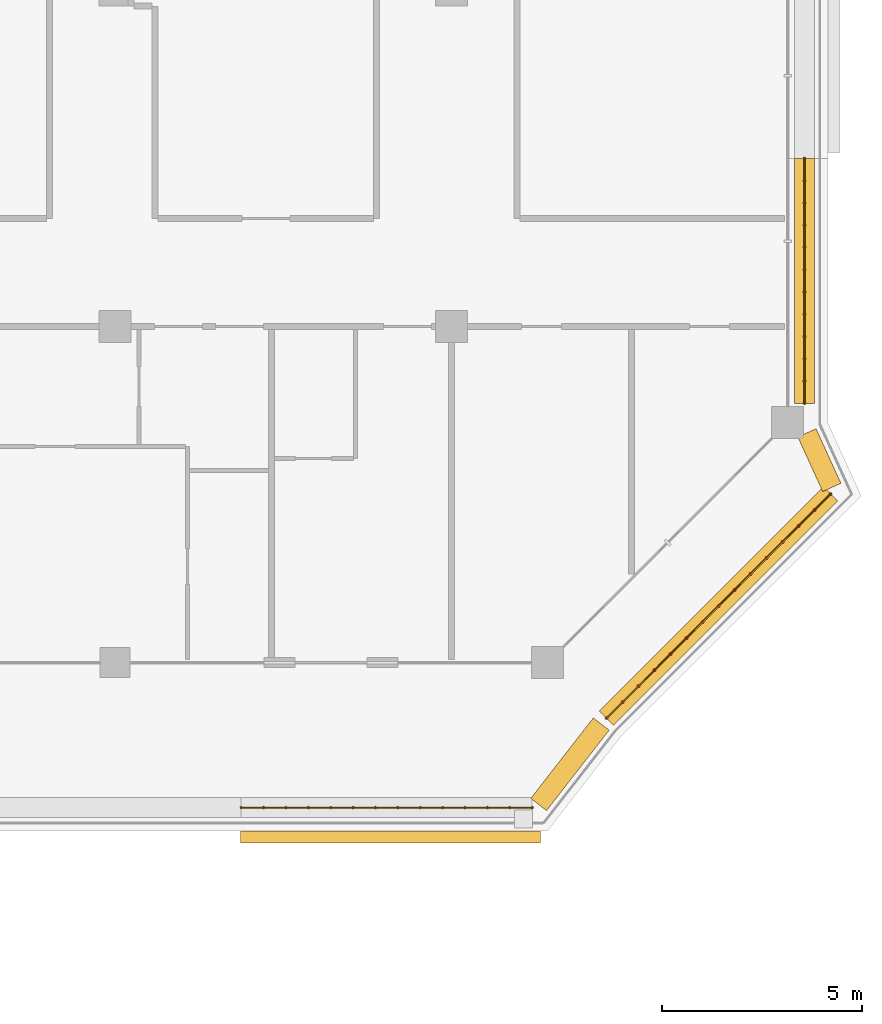
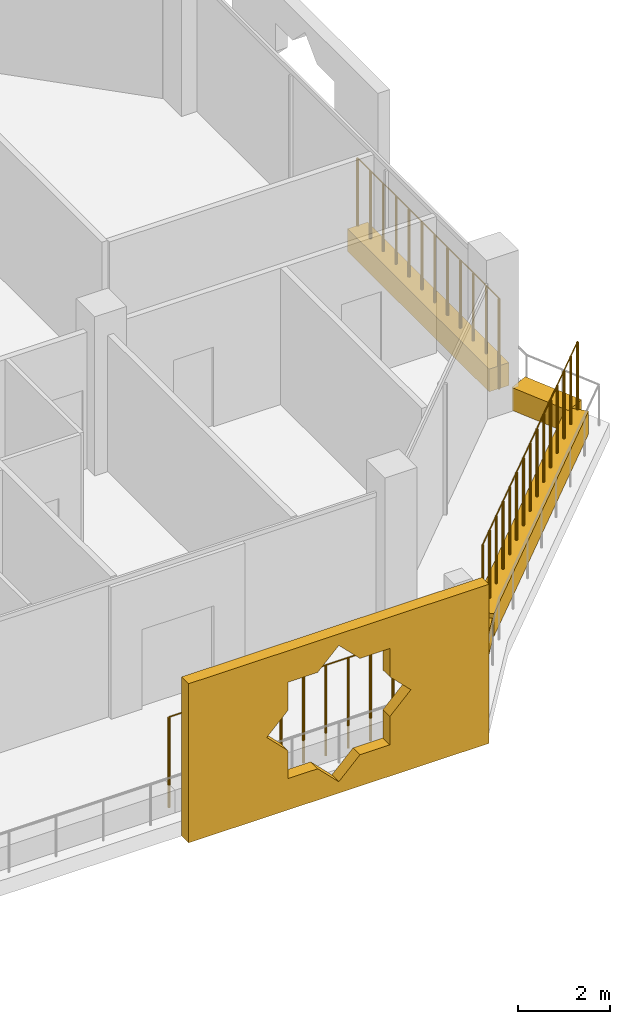
# One storey, part 19 of 22: 5 coverings, 3 railings.
"""IFC4 building model written with IfcOpenShell, lengths in metres."""

import ifcopenshell
import ifcopenshell.guid

model = None  # the IFC model being written
_history = None  # IfcOwnerHistory: only IFC2X3 demands one
_inside = {}  # id of a spatial element -> (the spatial element, [elements in it])
_under = {}  # id of a project, library or spatial element -> (it, [spatial elements below it])
_declared = {}  # id of a project -> (the project, [libraries it declares])
_typed = {}  # id of a type object -> (the type object, [elements of that type])
_made_of = {}  # id of a material, layer set ... -> (it, [elements and type objects made of it])


def new_model(schema):
    """Start an empty IFC model of exactly this schema.

    Asked for "IFC4X3", IfcOpenShell would pick the latest addendum, in which some entities
    have other attributes; the version numbers below select the first issue.
    IFC2X3 requires an IfcOwnerHistory on every rooted entity: one is made here for all.
    """
    global model, _history
    if schema == "IFC4X3":
        model = ifcopenshell.file(schema_version=(4, 3, 0, 0))
    else:
        model = ifcopenshell.file(schema=schema)
    _inside.clear()
    _under.clear()
    _declared.clear()
    _typed.clear()
    _made_of.clear()
    _history = None
    if model.schema == "IFC2X3":
        org = make("IfcOrganization", Name="unknown")
        user = make(
            "IfcPersonAndOrganization",
            ThePerson=make("IfcPerson", FamilyName="unknown"),
            TheOrganization=org,
        )
        app = make(
            "IfcApplication",
            ApplicationDeveloper=org,
            Version="unknown",
            ApplicationFullName="unknown",
            ApplicationIdentifier="unknown",
        )
        _history = make(
            "IfcOwnerHistory",
            OwningUser=user,
            OwningApplication=app,
            ChangeAction="ADDED",
            CreationDate=0,
        )
    return model


def make(cls, **values):
    """One entity of the class cls with the attributes given. An attribute that is None is left unset."""
    return model.create_entity(
        cls, **{name: value for name, value in values.items() if value is not None}
    )


def rooted(cls, **values):
    """An entity with a GlobalId (a new one), such as an element, a storey or a relation."""
    return make(cls, GlobalId=ifcopenshell.guid.new(), OwnerHistory=_history, **values)


def si_unit(unit_type, name, prefix=None):
    """IfcSIUnit, for example si_unit("LENGTHUNIT", "METRE", prefix="MILLI")."""
    return make("IfcSIUnit", UnitType=unit_type, Prefix=prefix, Name=name)


def assignment(units):
    """IfcUnitAssignment: the units of a project."""
    return None if units is None else make("IfcUnitAssignment", Units=units)


def point(xyz):
    """IfcCartesianPoint."""
    return None if xyz is None else make("IfcCartesianPoint", Coordinates=xyz)


def direction(xyz):
    """IfcDirection."""
    return None if xyz is None else make("IfcDirection", DirectionRatios=xyz)


def frame(location, z_axis=None, x_axis=None):
    """IfcAxis2Placement3D, a coordinate frame: its origin and axes. An axis left out is left unset."""
    return make(
        "IfcAxis2Placement3D",
        Location=point(location),
        Axis=direction(z_axis),
        RefDirection=direction(x_axis),
    )


def frame_2d(location, x_axis=None):
    """IfcAxis2Placement2D, a coordinate frame in the plane: its origin and x axis."""
    return make(
        "IfcAxis2Placement2D", Location=point(location), RefDirection=direction(x_axis)
    )


def origin():
    """The frame at (0, 0, 0) with its axes left unset."""
    return frame((0.0, 0.0, 0.0))


def origin_2d():
    """The frame at (0, 0) in the plane with its x axis left unset."""
    return frame_2d((0.0, 0.0))


def place(relative_to, where):
    """IfcLocalPlacement: puts the frame where relative to a parent placement (None: the world)."""
    return make(
        "IfcLocalPlacement", PlacementRelTo=relative_to, RelativePlacement=where
    )


def context(
    kind, dimensions, precision=None, world=None, true_north=None, identifier=None
):
    """IfcGeometricRepresentationContext, for example the 3D "Model" context."""
    return make(
        "IfcGeometricRepresentationContext",
        ContextIdentifier=identifier,
        ContextType=kind,
        CoordinateSpaceDimension=dimensions,
        Precision=precision,
        WorldCoordinateSystem=world,
        TrueNorth=true_north,
    )


def subcontext(parent, identifier, kind, view, scale=None):
    """IfcGeometricRepresentationSubContext, for example "Body" below "Model"."""
    return make(
        "IfcGeometricRepresentationSubContext",
        ContextIdentifier=identifier,
        ContextType=kind,
        ParentContext=parent,
        TargetScale=scale,
        TargetView=view,
    )


def project(units=None, contexts=None):
    """IfcProject with its units and contexts."""
    return rooted(
        "IfcProject",
        Name="project",
        RepresentationContexts=contexts,
        UnitsInContext=assignment(units),
    )


def spatial(cls, under=None, at=None, **own):
    """A site, building, storey or space (cls), placed at a placement, below another one or the project."""
    s = rooted(cls, ObjectPlacement=at, **own)
    if under is not None:
        _under.setdefault(under.id(), (under, []))[1].append(s)
    return s


def polyline(points):
    """IfcPolyline through the points."""
    return make("IfcPolyline", Points=[point(p) for p in points])


def profile(cls, at=None, kind="AREA", **sizes):
    """A parametric profile (cls). Its sizes go by their IFC names, for example OverallWidth=200.0."""
    return make(cls, ProfileType=kind, Position=at, **sizes)


def rectangle(**sizes):
    """IfcRectangleProfileDef."""
    return profile("IfcRectangleProfileDef", **sizes)


def circle(**sizes):
    """IfcCircleProfileDef."""
    return profile("IfcCircleProfileDef", **sizes)


def outline(outer, holes=None, kind="AREA"):
    """IfcArbitraryClosedProfileDef: a profile drawn as a closed curve; with holes, ...WithVoids."""
    if holes is None:
        return make("IfcArbitraryClosedProfileDef", ProfileType=kind, OuterCurve=outer)
    return make(
        "IfcArbitraryProfileDefWithVoids",
        ProfileType=kind,
        OuterCurve=outer,
        InnerCurves=holes,
    )


def extrude(swept, where, along, depth):
    """IfcExtrudedAreaSolid: the profile swept, set in the frame where, extruded along a direction by depth."""
    return make(
        "IfcExtrudedAreaSolid",
        SweptArea=swept,
        Position=where,
        ExtrudedDirection=direction(along),
        Depth=depth,
    )


def shape(context_of_items, identifier, shape_type, items):
    """IfcShapeRepresentation: the items that make up one representation, for example the "Body"."""
    return make(
        "IfcShapeRepresentation",
        ContextOfItems=context_of_items,
        RepresentationIdentifier=identifier,
        RepresentationType=shape_type,
        Items=items,
    )


def material(Name=None, Category=None):
    """IfcMaterial."""
    return make("IfcMaterial", Name=Name, Category=Category)


def material_profile(
    of_material, cross_section, Name=None, Category=None, Priority=None
):
    """IfcMaterialProfile: a cross section and its material."""
    return make(
        "IfcMaterialProfile",
        Name=Name,
        Material=of_material,
        Profile=cross_section,
        Priority=Priority,
        Category=Category,
    )


def profile_set(profiles, Name=None, composite=None):
    """IfcMaterialProfileSet."""
    return make(
        "IfcMaterialProfileSet",
        Name=Name,
        MaterialProfiles=profiles,
        CompositeProfile=composite,
    )


def made_of(thing, what):
    """Note that an element or type object is made of a material, layer set ...; save() writes the relation."""
    if what is not None:
        _made_of.setdefault(what.id(), (what, []))[1].append(thing)
    return thing


def type_object(cls, material=None, **own):
    """A type object (cls), such as IfcWallType, which elements share."""
    return made_of(rooted(cls, **own), material)


def element(
    cls,
    number,
    at=None,
    inside=None,
    cuts=None,
    type_object=None,
    material=None,
    context=None,
    identifier="Body",
    shape_type=None,
    held_by="IfcProductDefinitionShape",
    body=None,
    shapes=None,
    **own,
):
    """One element of the class cls, such as IfcWall. Its Tag is "e" and its number.

    at: its placement. inside: the storey or other place that contains it. cuts: it is an
    opening in that element (IfcRelVoidsElement). A single representation is given by context,
    identifier, shape_type and body (its items); several are given by shapes. held_by: the class
    of the entity that holds the representations. save() writes the other relations.
    """
    e = rooted(cls, Tag="e%d" % number, ObjectPlacement=at, **own)
    if body is not None:
        shapes = [shape(context, identifier, shape_type, body)]
    if shapes is not None:
        e.Representation = make(held_by, Representations=shapes)
    if inside is not None:
        _inside.setdefault(inside.id(), (inside, []))[1].append(e)
    if cuts is not None:
        rooted(
            "IfcRelVoidsElement", RelatingBuildingElement=cuts, RelatedOpeningElement=e
        )
    if type_object is not None:
        _typed.setdefault(type_object.id(), (type_object, []))[1].append(e)
    return made_of(e, material)


def aggregate(whole, parts):
    """IfcRelAggregates: a whole, such as a stair, and the parts it consists of."""
    return rooted("IfcRelAggregates", RelatingObject=whole, RelatedObjects=parts)


def save(model, path):
    """Write the relations noted so far, then the file.

    IfcRelAggregates (storeys below a building ...), IfcRelContainedInSpatialStructure (elements
    in a storey), IfcRelDefinesByType, IfcRelAssociatesMaterial and IfcRelDeclares: one each for
    every whole, place, type object, material and project.
    """
    for whole, parts in _under.values():
        aggregate(whole, parts)
    for where, things in _inside.values():
        rooted(
            "IfcRelContainedInSpatialStructure",
            RelatedElements=things,
            RelatingStructure=where,
        )
    for kind, things in _typed.values():
        rooted("IfcRelDefinesByType", RelatedObjects=things, RelatingType=kind)
    for what, things in _made_of.values():
        rooted("IfcRelAssociatesMaterial", RelatedObjects=things, RelatingMaterial=what)
    for by, libraries in _declared.values():
        rooted("IfcRelDeclares", RelatingContext=by, RelatedDefinitions=libraries)
    model.write(path)


model = new_model("IFC4")

# Units and contexts
model_context = context("Model", 3, precision=1e-05, world=origin(), true_north=direction((0.0, 1.0)))
body_context = subcontext(model_context, "Body", "Model", "MODEL_VIEW")
ifc_project = project(units=[si_unit("LENGTHUNIT", "METRE"), si_unit("AREAUNIT", "SQUARE_METRE"), si_unit("VOLUMEUNIT", "CUBIC_METRE"), si_unit("PLANEANGLEUNIT", "RADIAN"), si_unit("MASSUNIT", "GRAM", prefix="KILO")], contexts=[model_context])

# Site, building, storey
site_placement = place(None, origin())
site = spatial("IfcSite", under=ifc_project, at=site_placement, CompositionType="ELEMENT")
building_placement = place(site_placement, origin())
building = spatial("IfcBuilding", under=site, at=building_placement, Name="Kawkab Arch Medical Tower", CompositionType="ELEMENT")
storey_placement = place(building_placement, frame((0.0, 0.0, 294.39990234375)))
storey = spatial("IfcBuildingStorey", under=building, at=storey_placement, Name="L68", CompositionType="ELEMENT", Elevation=294.39990234375)

# Coverings
ifc_material_1 = material(Name="Bronze anodised aluminium mashrabiya panel, eight-point star pattern", Category="aluminium")
ifc_material_profile_1 = material_profile(ifc_material_1, outline(polyline([(-3.75, -2.10009765625), (3.75, -2.10009765625), (3.75, 2.10009765625), (-3.75, 2.10009765625), (-3.75, -2.10009765625)]), holes=[polyline([(1.800048828125, 0.0), (1.272705078125, 0.527099609375), (1.272705078125, 1.272705078125), (0.527099609375, 1.272705078125), (0.0, 1.800048828125), (-0.527099609375, 1.272705078125), (-1.272705078125, 1.272705078125), (-1.272705078125, 0.527099609375), (-1.800048828125, 0.0), (-1.272705078125, -0.527099609375), (-1.272705078125, -1.272705078125), (-0.527099609375, -1.272705078125), (0.0, -1.800048828125), (0.527099609375, -1.272705078125), (1.272705078125, -1.272705078125), (1.272705078125, -0.527099609375), (1.800048828125, 0.0)])]), Name="Mashrabiya panel 7500x4200")
ifc_profile_set_1 = profile_set([ifc_material_profile_1], Name="Bronze anodised aluminium mashrabiya panel, eight-point star pattern")
covering_type_1 = type_object("IfcCoveringType", Name="Mashrabiya panel 7500 x 4200", PredefinedType="USERDEFINED", material=ifc_profile_set_1)
covering_1_placement = place(storey_placement, frame((48.87890625, -29.39990234375, 1.7001953125), z_axis=(0.0, -1.0, 0.0), x_axis=(1.0, 0.0, 0.0)))
element("IfcCovering", 1, at=covering_1_placement, inside=storey, type_object=covering_type_1, Name="Mashrabiya panel L68.LOG-01-01.7", ObjectType="SCREEN", PredefinedType="USERDEFINED", context=body_context, shape_type="SweptSolid", body=[
    extrude(outline(polyline([(-3.75, -2.10009765625), (3.75, -2.10009765625), (3.75, 2.10009765625), (-3.75, 2.10009765625), (-3.75, -2.10009765625)]), holes=[polyline([(1.800048828125, 0.0), (1.272705078125, 0.527099609375), (1.272705078125, 1.272705078125), (0.527099609375, 1.272705078125), (0.0, 1.800048828125), (-0.527099609375, 1.272705078125), (-1.272705078125, 1.272705078125), (-1.272705078125, 0.527099609375), (-1.800048828125, 0.0), (-1.272705078125, -0.527099609375), (-1.272705078125, -1.272705078125), (-0.527099609375, -1.272705078125), (0.0, -1.800048828125), (0.527099609375, -1.272705078125), (1.272705078125, -1.272705078125), (1.272705078125, -0.527099609375), (1.800048828125, 0.0)])]), origin(), (0.0, 0.0, 1.0), 0.300048828125),
])
ifc_material_2 = material(Name="Planting soil in a precast trough", Category="concrete")
ifc_material_profile_2 = material_profile(ifc_material_2, rectangle(XDim=0.5, YDim=0.60009765625, at=origin_2d()), Name="Trough 500x600")
ifc_profile_set_2 = profile_set([ifc_material_profile_2], Name="Planting soil in a precast trough")
covering_type_2 = type_object("IfcCoveringType", Name="Planter trough 500 x 600", PredefinedType="USERDEFINED", material=ifc_profile_set_2)
covering_2_placement = place(storey_placement, frame((59.219970703125, -12.60009765625, 0.300048828125), z_axis=(0.0, -1.0, 0.0), x_axis=(1.0, 0.0, 0.0)))
element("IfcCovering", 2, at=covering_2_placement, inside=storey, type_object=covering_type_2, Name="Planter L68.LOG-01-01.23", ObjectType="PLANTER", PredefinedType="USERDEFINED", context=body_context, shape_type="SweptSolid", body=[
    extrude(rectangle(XDim=0.5, YDim=0.60009765625, at=origin_2d()), origin(), (0.0, 0.0, 1.0), 6.119873046875),
])
covering_3_placement = place(storey_placement, frame((59.280029296875, -19.4580078125, 0.300048828125), z_axis=(0.415189748133, -0.909734836667, 0.0), x_axis=(0.909734836667, 0.415189748133, 0.0)))
element("IfcCovering", 3, at=covering_3_placement, inside=storey, type_object=covering_type_2, Name="Planter L68.LOG-01-01.24", ObjectType="PLANTER", PredefinedType="USERDEFINED", context=body_context, shape_type="SweptSolid", body=[
    extrude(rectangle(XDim=0.5, YDim=0.60009765625, at=origin_2d()), origin(), (0.0, 0.0, 1.0), 1.498291015625),
])
covering_4_placement = place(storey_placement, frame((59.873046875, -20.98291015625, 0.300048828125), z_axis=(-0.707106781187, -0.707106781187, 0.0), x_axis=(0.707106781187, -0.707106781187, 0.0)))
element("IfcCovering", 4, at=covering_4_placement, inside=storey, type_object=covering_type_2, Name="Planter L68.LOG-01-01.25", ObjectType="PLANTER", PredefinedType="USERDEFINED", context=body_context, shape_type="SweptSolid", body=[
    extrude(rectangle(XDim=0.5, YDim=0.60009765625, at=origin_2d()), origin(), (0.0, 0.0, 1.0), 7.919677734375),
])
covering_5_placement = place(storey_placement, frame((54.14111328125, -26.73193359375, 0.300048828125), z_axis=(-0.614099956103, -0.789228258436, 0.0), x_axis=(0.789228258436, -0.614099956103, 0.0)))
element("IfcCovering", 5, at=covering_5_placement, inside=storey, type_object=covering_type_2, Name="Planter L68.LOG-01-01.26", ObjectType="PLANTER", PredefinedType="USERDEFINED", context=body_context, shape_type="SweptSolid", body=[
    extrude(rectangle(XDim=0.5, YDim=0.60009765625, at=origin_2d()), origin(), (0.0, 0.0, 1.0), 2.545654296875),
])

# Railings
ifc_material_3 = material(Name="Bronze anodised aluminium trellis for climbing plants", Category="aluminium")
railing_type = type_object("IfcRailingType", Name="Planting trellis 2400", PredefinedType="USERDEFINED", material=ifc_material_3)
railing_1_placement = place(storey_placement, frame((59.219970703125, -12.60009765625, 0.0)))
element("IfcRailing", 6, at=railing_1_placement, inside=storey, type_object=railing_type, Name="Planting trellis L68.LOG-01-01.23", ObjectType="TRELLIS", PredefinedType="USERDEFINED", context=body_context, shape_type="SweptSolid", body=[
    extrude(circle(Radius=0.01513671875, at=origin_2d()), frame((0.0, 0.0, 2.384765625), z_axis=(0.0, -1.0, 0.0), x_axis=(1.0, 0.0, 0.0)), (0.0, 0.0, 1.0), 6.119873046875),
    extrude(circle(Radius=0.030029296875, at=origin_2d()), origin(), (0.0, 0.0, 1.0), 2.369873046875),
    extrude(circle(Radius=0.030029296875, at=origin_2d()), frame((0.0, -0.556396484375, 0.0)), (0.0, 0.0, 1.0), 2.369873046875),
    extrude(circle(Radius=0.030029296875, at=origin_2d()), frame((0.0, -1.11279296875, 0.0)), (0.0, 0.0, 1.0), 2.369873046875),
    extrude(circle(Radius=0.030029296875, at=origin_2d()), frame((0.0, -1.6689453125, 0.0)), (0.0, 0.0, 1.0), 2.369873046875),
    extrude(circle(Radius=0.030029296875, at=origin_2d()), frame((0.0, -2.225341796875, 0.0)), (0.0, 0.0, 1.0), 2.369873046875),
    extrude(circle(Radius=0.030029296875, at=origin_2d()), frame((0.0, -2.78173828125, 0.0)), (0.0, 0.0, 1.0), 2.369873046875),
    extrude(circle(Radius=0.030029296875, at=origin_2d()), frame((0.0, -3.338134765625, 0.0)), (0.0, 0.0, 1.0), 2.369873046875),
    extrude(circle(Radius=0.030029296875, at=origin_2d()), frame((0.0, -3.89453125, 0.0)), (0.0, 0.0, 1.0), 2.369873046875),
    extrude(circle(Radius=0.030029296875, at=origin_2d()), frame((0.0, -4.450927734375, 0.0)), (0.0, 0.0, 1.0), 2.369873046875),
    extrude(circle(Radius=0.030029296875, at=origin_2d()), frame((0.0, -5.007080078125, 0.0)), (0.0, 0.0, 1.0), 2.369873046875),
    extrude(circle(Radius=0.030029296875, at=origin_2d()), frame((0.0, -5.5634765625, 0.0)), (0.0, 0.0, 1.0), 2.369873046875),
    extrude(circle(Radius=0.030029296875, at=origin_2d()), frame((0.0, -6.119873046875, 0.0)), (0.0, 0.0, 1.0), 2.369873046875),
])
railing_2_placement = place(storey_placement, frame((59.873046875, -20.98291015625, 0.0)))
element("IfcRailing", 7, at=railing_2_placement, inside=storey, type_object=railing_type, Name="Planting trellis L68.LOG-01-01.25", ObjectType="TRELLIS", PredefinedType="USERDEFINED", context=body_context, shape_type="SweptSolid", body=[
    extrude(circle(Radius=0.01513671875, at=origin_2d()), frame((0.0, 0.0, 2.384765625), z_axis=(-0.707106781187, -0.707106781187, 0.0), x_axis=(0.707106781187, -0.707106781187, 0.0)), (0.0, 0.0, 1.0), 7.919677734375),
    extrude(circle(Radius=0.030029296875, at=origin_2d()), origin(), (0.0, 0.0, 1.0), 2.369873046875),
    extrude(circle(Radius=0.030029296875, at=origin_2d()), frame((-0.39990234375, -0.39990234375, 0.0)), (0.0, 0.0, 1.0), 2.369873046875),
    extrude(circle(Radius=0.030029296875, at=origin_2d()), frame((-0.800048828125, -0.800048828125, 0.0)), (0.0, 0.0, 1.0), 2.369873046875),
    extrude(circle(Radius=0.030029296875, at=origin_2d()), frame((-1.199951171875, -1.199951171875, 0.0)), (0.0, 0.0, 1.0), 2.369873046875),
    extrude(circle(Radius=0.030029296875, at=origin_2d()), frame((-1.60009765625, -1.60009765625, 0.0)), (0.0, 0.0, 1.0), 2.369873046875),
    extrude(circle(Radius=0.030029296875, at=origin_2d()), frame((-2.0, -2.0, 0.0)), (0.0, 0.0, 1.0), 2.369873046875),
    extrude(circle(Radius=0.030029296875, at=origin_2d()), frame((-2.400146484375, -2.400146484375, 0.0)), (0.0, 0.0, 1.0), 2.369873046875),
    extrude(circle(Radius=0.030029296875, at=origin_2d()), frame((-2.800048828125, -2.800048828125, 0.0)), (0.0, 0.0, 1.0), 2.369873046875),
    extrude(circle(Radius=0.030029296875, at=origin_2d()), frame((-3.199951171875, -3.199951171875, 0.0)), (0.0, 0.0, 1.0), 2.369873046875),
    extrude(circle(Radius=0.030029296875, at=origin_2d()), frame((-3.60009765625, -3.60009765625, 0.0)), (0.0, 0.0, 1.0), 2.369873046875),
    extrude(circle(Radius=0.030029296875, at=origin_2d()), frame((-4.0, -4.0, 0.0)), (0.0, 0.0, 1.0), 2.369873046875),
    extrude(circle(Radius=0.030029296875, at=origin_2d()), frame((-4.400146484375, -4.400146484375, 0.0)), (0.0, 0.0, 1.0), 2.369873046875),
    extrude(circle(Radius=0.030029296875, at=origin_2d()), frame((-4.800048828125, -4.800048828125, 0.0)), (0.0, 0.0, 1.0), 2.369873046875),
    extrude(circle(Radius=0.030029296875, at=origin_2d()), frame((-5.2001953125, -5.2001953125, 0.0)), (0.0, 0.0, 1.0), 2.369873046875),
    extrude(circle(Radius=0.030029296875, at=origin_2d()), frame((-5.60009765625, -5.60009765625, 0.0)), (0.0, 0.0, 1.0), 2.369873046875),
])
railing_3_placement = place(storey_placement, frame((52.416015625, -28.820068359375, 0.0)))
element("IfcRailing", 8, at=railing_3_placement, inside=storey, type_object=railing_type, Name="Planting trellis L68.LOG-01-01.27", ObjectType="TRELLIS", PredefinedType="USERDEFINED", context=body_context, shape_type="SweptSolid", body=[
    extrude(circle(Radius=0.01513671875, at=origin_2d()), frame((0.0, 0.0, 2.384765625), z_axis=(-1.0, 0.0, 0.0), x_axis=(0.0, -1.0, 0.0)), (0.0, 0.0, 1.0), 7.26806640625),
    extrude(circle(Radius=0.030029296875, at=origin_2d()), origin(), (0.0, 0.0, 1.0), 2.369873046875),
    extrude(circle(Radius=0.030029296875, at=origin_2d()), frame((-0.55908203125, 0.0, 0.0)), (0.0, 0.0, 1.0), 2.369873046875),
    extrude(circle(Radius=0.030029296875, at=origin_2d()), frame((-1.1181640625, 0.0, 0.0)), (0.0, 0.0, 1.0), 2.369873046875),
    extrude(circle(Radius=0.030029296875, at=origin_2d()), frame((-1.67724609375, 0.0, 0.0)), (0.0, 0.0, 1.0), 2.369873046875),
    extrude(circle(Radius=0.030029296875, at=origin_2d()), frame((-2.236328125, 0.0, 0.0)), (0.0, 0.0, 1.0), 2.369873046875),
    extrude(circle(Radius=0.030029296875, at=origin_2d()), frame((-2.79541015625, 0.0, 0.0)), (0.0, 0.0, 1.0), 2.369873046875),
    extrude(circle(Radius=0.030029296875, at=origin_2d()), frame((-3.3544921875, 0.0, 0.0)), (0.0, 0.0, 1.0), 2.369873046875),
    extrude(circle(Radius=0.030029296875, at=origin_2d()), frame((-3.91357421875, 0.0, 0.0)), (0.0, 0.0, 1.0), 2.369873046875),
    extrude(circle(Radius=0.030029296875, at=origin_2d()), frame((-4.47265625, 0.0, 0.0)), (0.0, 0.0, 1.0), 2.369873046875),
    extrude(circle(Radius=0.030029296875, at=origin_2d()), frame((-5.03173828125, 0.0, 0.0)), (0.0, 0.0, 1.0), 2.369873046875),
    extrude(circle(Radius=0.030029296875, at=origin_2d()), frame((-5.5908203125, 0.0, 0.0)), (0.0, 0.0, 1.0), 2.369873046875),
    extrude(circle(Radius=0.030029296875, at=origin_2d()), frame((-6.14990234375, 0.0, 0.0)), (0.0, 0.0, 1.0), 2.369873046875),
    extrude(circle(Radius=0.030029296875, at=origin_2d()), frame((-6.708984375, 0.0, 0.0)), (0.0, 0.0, 1.0), 2.369873046875),
    extrude(circle(Radius=0.030029296875, at=origin_2d()), frame((-7.26806640625, 0.0, 0.0)), (0.0, 0.0, 1.0), 2.369873046875),
])

save(model, "model.ifc")
